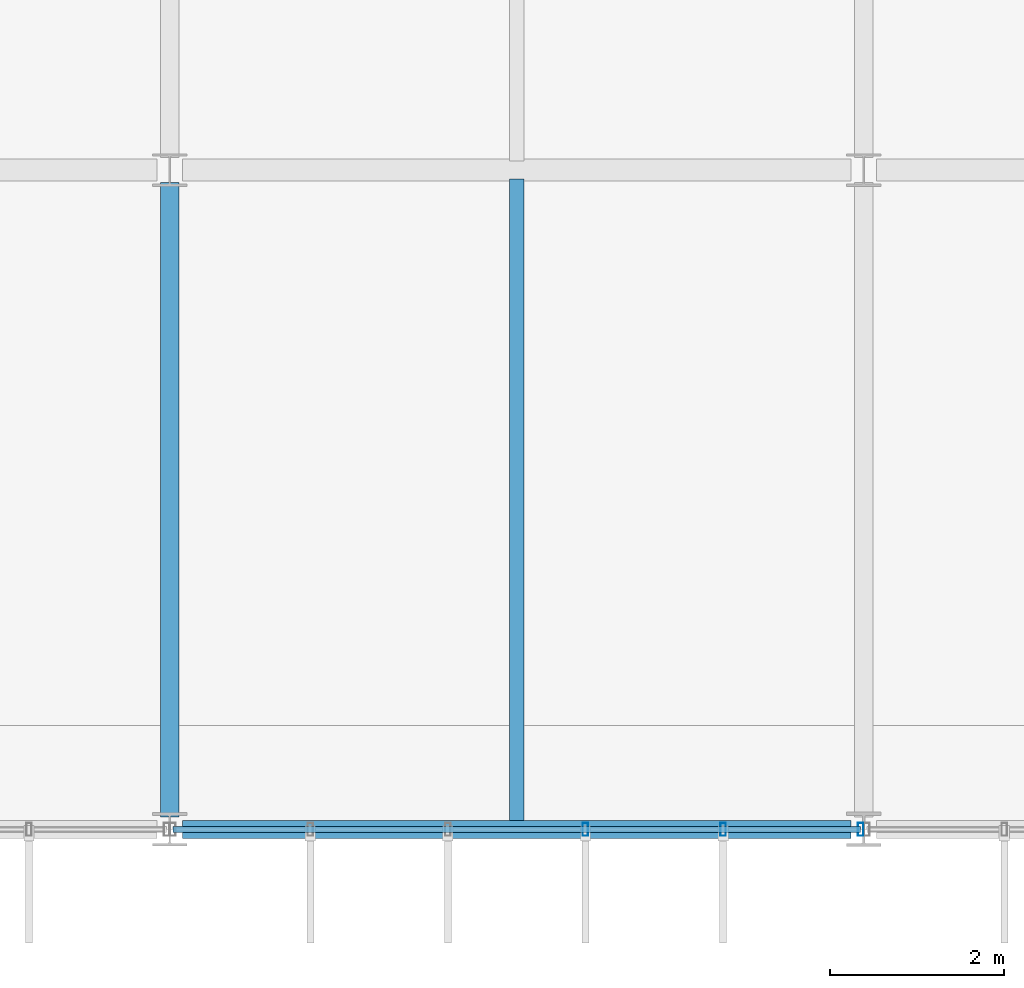
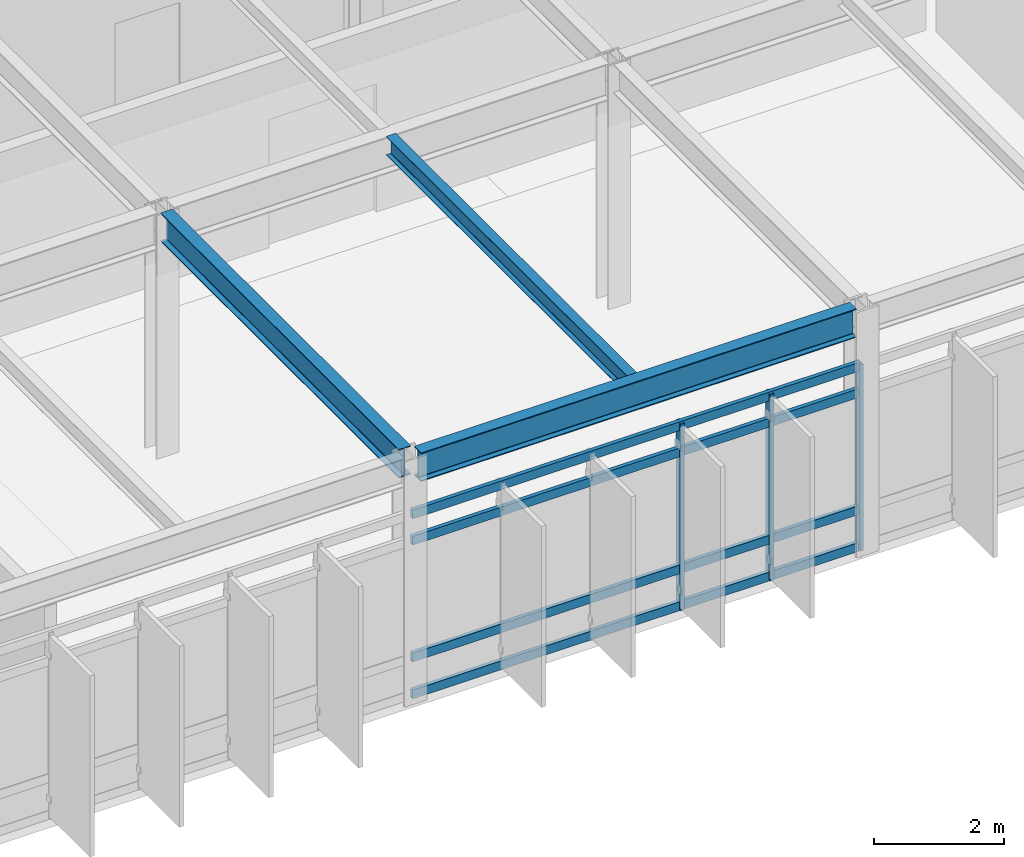
# One storey, part 23 of 104: 7 members, 3 beams, 1 element without a shape of its own.
"""IFC4 building model written with IfcOpenShell, lengths in metres."""

from ifc_helpers import new_model, si_unit, direction, frame, origin, origin_2d, place, context, subcontext, project, spatial, hollow_rectangle, i_section, extrude, material, material_profile, profile_set, type_object, element, aggregate, save


model = new_model("IFC4")

# Units and contexts
model_context = context("Model", 3, precision=1e-05, world=origin(), true_north=direction((0.0, 1.0)))
body_context = subcontext(model_context, "Body", "Model", "MODEL_VIEW")
ifc_project = project(units=[si_unit("LENGTHUNIT", "METRE"), si_unit("AREAUNIT", "SQUARE_METRE"), si_unit("VOLUMEUNIT", "CUBIC_METRE"), si_unit("PLANEANGLEUNIT", "RADIAN"), si_unit("MASSUNIT", "GRAM", prefix="KILO")], contexts=[model_context])

# Site, building, storey
site_placement = place(None, origin())
site = spatial("IfcSite", under=ifc_project, at=site_placement, CompositionType="ELEMENT")
building_placement = place(site_placement, origin())
building = spatial("IfcBuilding", under=site, at=building_placement, Name="Zulena Civic Courthouse", CompositionType="ELEMENT")
storey_placement = place(building_placement, frame((0.0, 0.0, 15.60009765625)))
storey = spatial("IfcBuildingStorey", under=building, at=storey_placement, Name="L03", CompositionType="ELEMENT", Elevation=15.60009765625)

# Curtain wall, members
ifc_material_1 = material(Name="Double-silver low-E laminated solar-control glass", Category="glass")
curtain_wall_type = type_object("IfcCurtainWallType", Name="CW_7928x3490", PredefinedType="USERDEFINED", material=ifc_material_1)
curtain_wall_placement = place(storey_placement, origin())
curtain_wall = element("IfcCurtainWall", 1, at=curtain_wall_placement, inside=storey, type_object=curtain_wall_type, Name="cw:V2:L03:3:4", ObjectType="UNITISED CURTAIN WALL", PredefinedType="USERDEFINED")
ifc_material_2 = material(Name="Bronze anodised thermally broken aluminium AA6063-T6", Category="aluminium")
ifc_material_profile_1 = material_profile(ifc_material_2, hollow_rectangle(XDim=0.06494140625, YDim=0.14990234375, WallThickness=0.00390625, at=origin_2d()), Name="CWM150X65X4")
ifc_profile_set_1 = profile_set([ifc_material_profile_1], Name="Bronze anodised thermally broken aluminium AA6063-T6")
member_type_1 = type_object("IfcMemberType", Name="CWMullion_150x65", PredefinedType="MULLION", material=ifc_profile_set_1)
member_1_placement = place(storey_placement, frame((35.964111328125, 0.0, 0.0), z_axis=(0.0, 0.0, 1.0), x_axis=(1.0, 0.0, 0.0)))
member_1 = element("IfcMember", 2, at=member_1_placement, type_object=member_type_1, Name="cw:V2:L03:3:4:mull:0", PredefinedType="MULLION", context=body_context, shape_type="SweptSolid", body=[
    extrude(hollow_rectangle(XDim=0.06494140625, YDim=0.14990234375, WallThickness=0.00390625, at=origin_2d()), origin(), (0.0, 0.0, 1.0), 3.489990234375),
])
member_2_placement = place(storey_placement, frame((34.37841796875, 0.0, 0.0), z_axis=(0.0, 0.0, 1.0), x_axis=(1.0, 0.0, 0.0)))
member_2 = element("IfcMember", 3, at=member_2_placement, type_object=member_type_1, Name="cw:V2:L03:3:4:mull:1", PredefinedType="MULLION", context=body_context, shape_type="SweptSolid", body=[
    extrude(hollow_rectangle(XDim=0.06494140625, YDim=0.14990234375, WallThickness=0.00390625, at=origin_2d()), origin(), (0.0, 0.0, 1.0), 3.489990234375),
])
member_3_placement = place(storey_placement, frame((32.792724609375, 0.0, 0.0), z_axis=(0.0, 0.0, 1.0), x_axis=(1.0, 0.0, 0.0)))
member_3 = element("IfcMember", 4, at=member_3_placement, type_object=member_type_1, Name="cw:V2:L03:3:4:mull:2", PredefinedType="MULLION", context=body_context, shape_type="SweptSolid", body=[
    extrude(hollow_rectangle(XDim=0.06494140625, YDim=0.14990234375, WallThickness=0.00390625, at=origin_2d()), origin(), (0.0, 0.0, 1.0), 3.489990234375),
])
ifc_material_profile_2 = material_profile(ifc_material_2, hollow_rectangle(XDim=0.070068359375, YDim=0.1650390625, WallThickness=0.00390625, at=origin_2d()), Name="CWT165X70X4")
ifc_profile_set_2 = profile_set([ifc_material_profile_2], Name="Bronze anodised thermally broken aluminium AA6063-T6")
member_type_2 = type_object("IfcMemberType", Name="CWTransom_165x70", PredefinedType="USERDEFINED", material=ifc_profile_set_2)
member_4_placement = place(storey_placement, frame((35.964111328125, 0.0, 0.059814453125), z_axis=(-1.0, 0.0, 0.0), x_axis=(0.0, -1.0, 0.0)))
member_4 = element("IfcMember", 5, at=member_4_placement, type_object=member_type_2, Name="cw:V2:L03:3:4:tran:0", ObjectType="TRANSOM", PredefinedType="USERDEFINED", context=body_context, shape_type="SweptSolid", body=[
    extrude(hollow_rectangle(XDim=0.070068359375, YDim=0.1650390625, WallThickness=0.00390625, at=origin_2d()), origin(), (0.0, 0.0, 1.0), 7.92822265625),
])
member_5_placement = place(storey_placement, frame((35.964111328125, 0.0, 0.75), z_axis=(-1.0, 0.0, 0.0), x_axis=(0.0, -1.0, 0.0)))
member_5 = element("IfcMember", 6, at=member_5_placement, type_object=member_type_2, Name="cw:V2:L03:3:4:tran:1", ObjectType="TRANSOM", PredefinedType="USERDEFINED", context=body_context, shape_type="SweptSolid", body=[
    extrude(hollow_rectangle(XDim=0.070068359375, YDim=0.1650390625, WallThickness=0.00390625, at=origin_2d()), origin(), (0.0, 0.0, 1.0), 7.92822265625),
])
member_6_placement = place(storey_placement, frame((35.964111328125, 0.0, 2.93994140625), z_axis=(-1.0, 0.0, 0.0), x_axis=(0.0, -1.0, 0.0)))
member_6 = element("IfcMember", 7, at=member_6_placement, type_object=member_type_2, Name="cw:V2:L03:3:4:tran:2", ObjectType="TRANSOM", PredefinedType="USERDEFINED", context=body_context, shape_type="SweptSolid", body=[
    extrude(hollow_rectangle(XDim=0.070068359375, YDim=0.1650390625, WallThickness=0.00390625, at=origin_2d()), origin(), (0.0, 0.0, 1.0), 7.92822265625),
])
member_7_placement = place(storey_placement, frame((35.964111328125, 0.0, 3.429931640625), z_axis=(-1.0, 0.0, 0.0), x_axis=(0.0, -1.0, 0.0)))
member_7 = element("IfcMember", 8, at=member_7_placement, type_object=member_type_2, Name="cw:V2:L03:3:4:tran:3", ObjectType="TRANSOM", PredefinedType="USERDEFINED", context=body_context, shape_type="SweptSolid", body=[
    extrude(hollow_rectangle(XDim=0.070068359375, YDim=0.1650390625, WallThickness=0.00390625, at=origin_2d()), origin(), (0.0, 0.0, 1.0), 7.92822265625),
])
aggregate(curtain_wall, [member_1, member_2, member_3, member_4, member_5, member_6, member_7])

# Beams
ifc_material_3 = material(Name="Steel ASTM A992 Grade 50", Category="steel")
ifc_material_profile_3 = material_profile(ifc_material_3, i_section(OverallWidth=0.1708984375, OverallDepth=0.35205078125, WebThickness=0.0068359375, FlangeThickness=0.009765625, FilletRadius=0.01025390625, at=origin_2d()), Name="W14X30")
ifc_profile_set_3 = profile_set([ifc_material_profile_3], Name="Steel ASTM A992 Grade 50")
beam_type_1 = type_object("IfcBeamType", Name="Joist_W14X30", PredefinedType="JOIST", material=ifc_profile_set_3)
beam_1_placement = place(storey_placement, frame((32.0, 0.10498046875, 4.413818359375), z_axis=(0.0, 1.0, 0.0), x_axis=(-1.0, 0.0, 0.0)))
element("IfcBeam", 9, at=beam_1_placement, inside=storey, type_object=beam_type_1, Name="joist:V2:L03:32.00:0.0_7.6", PredefinedType="JOIST", context=body_context, shape_type="SweptSolid", body=[
    extrude(i_section(OverallWidth=0.1708984375, OverallDepth=0.35205078125, WebThickness=0.0068359375, FlangeThickness=0.009765625, FilletRadius=0.01025390625, at=origin_2d()), origin(), (0.0, 0.0, 1.0), 7.39013671875),
])
ifc_material_profile_4 = material_profile(ifc_material_3, i_section(OverallWidth=0.2099609375, OverallDepth=0.537109375, WebThickness=0.010986328125, FlangeThickness=0.017333984375, FilletRadius=0.0126953125, at=origin_2d()), Name="W21X68")
ifc_profile_set_4 = profile_set([ifc_material_profile_4], Name="Steel ASTM A992 Grade 50")
beam_type_2 = type_object("IfcBeamType", Name="Spandrel_W21X68", PredefinedType="SPANDREL", material=ifc_profile_set_4)
beam_2_placement = place(storey_placement, frame((28.14501953125, 0.0, 4.3212890625), z_axis=(1.0, 0.0, 0.0), x_axis=(0.0, 1.0, 0.0)))
element("IfcBeam", 10, at=beam_2_placement, inside=storey, type_object=beam_type_2, Name="beam:X:V2:L03:0.0:28.0_36.0", PredefinedType="SPANDREL", context=body_context, shape_type="SweptSolid", body=[
    extrude(i_section(OverallWidth=0.2099609375, OverallDepth=0.537109375, WebThickness=0.010986328125, FlangeThickness=0.017333984375, FilletRadius=0.0126953125, at=origin_2d()), origin(), (0.0, 0.0, 1.0), 7.7099609375),
])
beam_3_placement = place(storey_placement, frame((28.0, 0.14501953125, 4.3212890625), z_axis=(0.0, 1.0, 0.0), x_axis=(-1.0, 0.0, 0.0)))
element("IfcBeam", 11, at=beam_3_placement, inside=storey, type_object=beam_type_2, Name="beam:Y:V2:L03:28.0:0.0_7.6", PredefinedType="SPANDREL", context=body_context, shape_type="SweptSolid", body=[
    extrude(i_section(OverallWidth=0.2099609375, OverallDepth=0.537109375, WebThickness=0.010986328125, FlangeThickness=0.017333984375, FilletRadius=0.0126953125, at=origin_2d()), origin(), (0.0, 0.0, 1.0), 7.31005859375),
])

save(model, "model.ifc")
